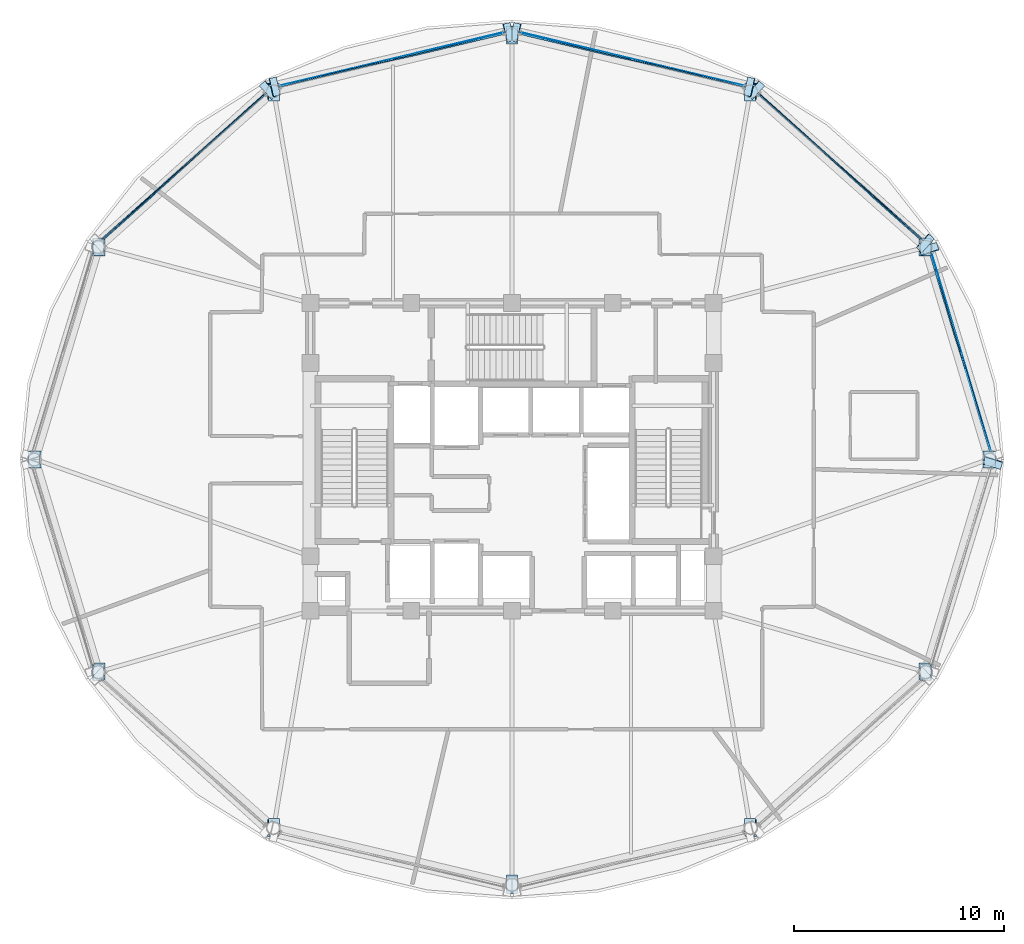
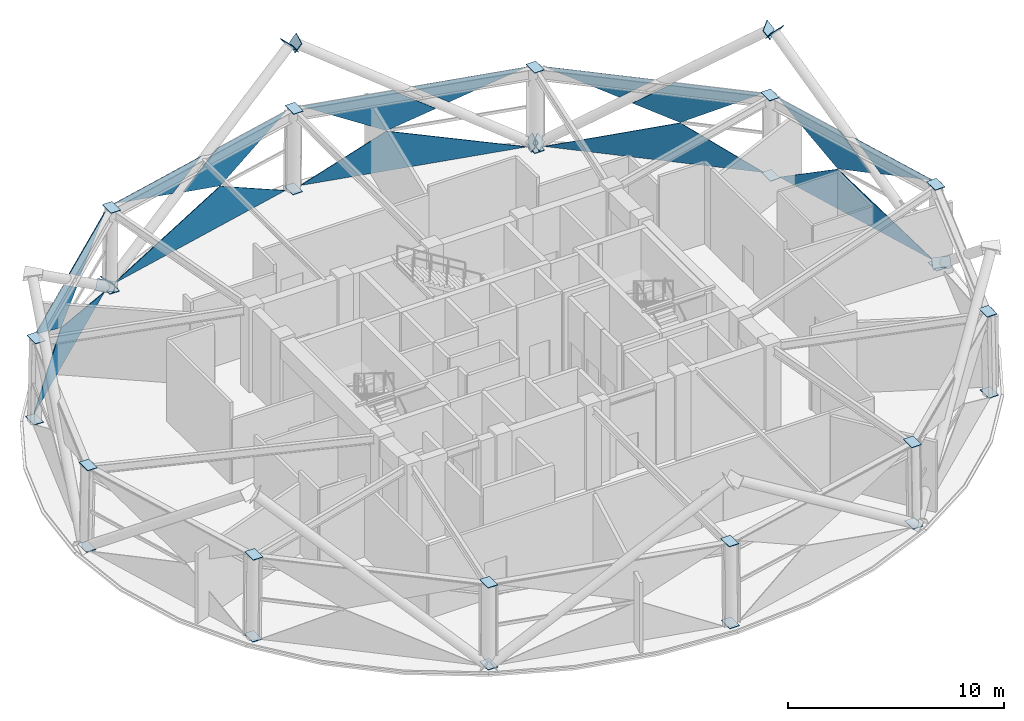
# One storey, part 9 of 16: 48 plates, 5 elements without a shape of their own.
"""IFC4 building model written with IfcOpenShell, lengths in metres."""

from ifc_helpers import new_model, si_unit, direction, frame, origin, place, context, subcontext, project, spatial, polyline, outline, extrude, material, layer, layer_set, type_object, element, aggregate, save


model = new_model("IFC4")

# Units and contexts
model_context = context("Model", 3, precision=1e-05, world=origin(), true_north=direction((0.0, 1.0)))
body_context = subcontext(model_context, "Body", "Model", "MODEL_VIEW")
ifc_project = project(units=[si_unit("LENGTHUNIT", "METRE"), si_unit("AREAUNIT", "SQUARE_METRE"), si_unit("VOLUMEUNIT", "CUBIC_METRE"), si_unit("PLANEANGLEUNIT", "RADIAN"), si_unit("MASSUNIT", "GRAM", prefix="KILO")], contexts=[model_context])

# Site, building, storey
site_placement = place(None, origin())
site = spatial("IfcSite", under=ifc_project, at=site_placement, CompositionType="ELEMENT")
building_placement = place(site_placement, origin())
building = spatial("IfcBuilding", under=site, at=building_placement, Name="Vantalir Tower", CompositionType="ELEMENT")
storey_placement = place(building_placement, frame((0.0, 0.0, 181.35009765625)))
storey = spatial("IfcBuildingStorey", under=building, at=storey_placement, Name="L45", CompositionType="ELEMENT", Elevation=181.35009765625)

# Curtain wall, plates
ifc_material_1 = material(Name="Champagne-silver PVDF aluminium and double-silver Low-E glass", Category="aluminium")
ifc_layer_1 = layer(ifc_material_1, 0.22998046875)
ifc_layer_set_1 = layer_set([ifc_layer_1], Name="Champagne-silver PVDF aluminium and double-silver Low-E glass")
curtain_wall_type = type_object("IfcCurtainWallType", Name="CW-SKYLOBBY", PredefinedType="USERDEFINED", material=ifc_layer_set_1)
curtain_wall_1_placement = place(storey_placement, origin())
curtain_wall_1 = element("IfcCurtainWall", 1, at=curtain_wall_1_placement, inside=storey, type_object=curtain_wall_type, Name="L45 Quilted Pyramid-Diamond Curtain Wall S01", ObjectType="UNITISED CURTAIN WALL", PredefinedType="USERDEFINED")
ifc_material_2 = material(Name="High-clarity sky-lobby Low-E glass IGU", Category="glass")
ifc_layer_2 = layer(ifc_material_2, 0.035888671875)
ifc_layer_set_2 = layer_set([ifc_layer_2], Name="High-clarity sky-lobby Low-E glass IGU")
plate_type_1 = type_object("IfcPlateType", Name="CWP-IGU-LIGHT-36", PredefinedType="CURTAIN_PANEL", material=ifc_layer_set_2)
plate_1_placement = place(storey_placement, frame((54.317626953125, 25.40673828125, 0.047119140625), z_axis=(0.957650582327, 0.287888962961, 0.005030623629), x_axis=(-0.287892725492, 0.957662663985, 2.4850473e-05)))
plate_1 = element("IfcPlate", 2, at=plate_1_placement, type_object=plate_type_1, Name="CW-L45-S01 Pyramid Diamond Facet 1L", PredefinedType="CURTAIN_PANEL", context=body_context, shape_type="SweptSolid", body=[
    extrude(outline(polyline([(0.0, 0.0), (9.824385579021772, 1.0299920638612292e-18), (6.08770880545764, 2.2493889000218026), (0.0, 0.0)])), origin(), (0.0, 0.0, -1.0), 0.035888671875),
])
plate_2_placement = place(storey_placement, frame((52.562744140625, 30.998779296875, 4.572509765625), z_axis=(0.957337172572, 0.287778890921, 0.026245913065), x_axis=(-0.287878081494, 0.957667066467, 8.50548e-07)))
plate_2 = element("IfcPlate", 3, at=plate_2_placement, type_object=plate_type_1, Name="CW-L45-S01 Pyramid Diamond Facet 2U", PredefinedType="CURTAIN_PANEL", context=body_context, shape_type="SweptSolid", body=[
    extrude(outline(polyline([(0.0, 0.0), (3.950730105154388, 3.469446951953614e-18), (0.22698148404296628, -2.2500428734027684), (-1.8979966408671116, -1.4616801904319743), (0.0, 0.0)])), origin(), (0.0, 0.0, -1.0), 0.035888671875),
])
plate_3_placement = place(storey_placement, frame((54.281982421875, 25.41845703125, 4.57373046875), z_axis=(0.957333203155, 0.287793042952, 0.026235521055), x_axis=(-0.287892138455, 0.957662840783, 0.0)))
plate_3 = element("IfcPlate", 4, at=plate_3_placement, type_object=plate_type_1, Name="CW-L45-S01 Pyramid Diamond Facet 2U Infill Light", PredefinedType="CURTAIN_PANEL", context=body_context, shape_type="SweptSolid", body=[
    extrude(outline(polyline([(0.0, 0.0), (4.938067663130494, 6.938893903907228e-18), (3.332941643282677, -1.2362653793027343), (0.0, 0.0)])), origin(), (0.0, 0.0, -1.0), 0.035888671875),
])
aggregate(curtain_wall_1, [plate_1, plate_2, plate_3])

curtain_wall_2_placement = place(storey_placement, origin())
curtain_wall_2 = element("IfcCurtainWall", 5, at=curtain_wall_2_placement, inside=storey, type_object=curtain_wall_type, Name="L45 Quilted Pyramid-Diamond Curtain Wall S02", ObjectType="UNITISED CURTAIN WALL", PredefinedType="USERDEFINED")
plate_4_placement = place(storey_placement, frame((51.0498046875, 35.504638671875, 0.047119140625), z_axis=(0.66529977249, 0.746563470884, 0.004381400138), x_axis=(-0.746570568102, 0.665306234972, -2.3480015e-05)))
plate_4 = element("IfcPlate", 6, at=plate_4_placement, type_object=plate_type_1, Name="CW-L45-S02 Pyramid Diamond Facet 1L", PredefinedType="CURTAIN_PANEL", context=body_context, shape_type="SweptSolid", body=[
    extrude(outline(polyline([(0.0, 0.0), (10.39780516962434, -4.391018798566293e-18), (3.9565602975785525, 2.2498703552015504), (0.0, 0.0)])), origin(), (0.0, 0.0, -1.0), 0.035888671875),
])
plate_5_placement = place(storey_placement, frame((50.98583984375, 35.4716796875, 4.572509765625), z_axis=(0.665089926382, 0.746335563904, 0.025270850345), x_axis=(-0.746574972522, 0.665301290375, 5.8557415e-05)))
plate_5 = element("IfcPlate", 7, at=plate_5_placement, type_object=plate_type_1, Name="CW-L45-S02 Pyramid Diamond Facet 2U", PredefinedType="CURTAIN_PANEL", context=body_context, shape_type="SweptSolid", body=[
    extrude(outline(polyline([(0.0, 0.0), (4.1896639254692545, 1.2739375526704677e-17), (6.186570093083291, -1.4610339444227927), (3.9308566706425703, -2.2504594124690516), (0.0, 0.0)])), origin(), (0.0, 0.0, -1.0), 0.035888671875),
])
plate_6_placement = place(storey_placement, frame((47.18994140625, 38.907958984375, 4.57373046875), z_axis=(0.665111490281, 0.746316276484, 0.025272929238), x_axis=(-0.74655551728, 0.665323122587, 4.6578208e-05)))
plate_6 = element("IfcPlate", 8, at=plate_6_placement, type_object=plate_type_1, Name="CW-L45-S02 Pyramid Diamond Facet 2U Infill Light", PredefinedType="CURTAIN_PANEL", context=body_context, shape_type="SweptSolid", body=[
    extrude(outline(polyline([(0.0, 0.0), (5.241520351703728, -8.998878031629687e-18), (1.6960296798621823, -1.240709671291705), (0.0, 0.0)])), origin(), (0.0, 0.0, -1.0), 0.035888671875),
])
aggregate(curtain_wall_2, [plate_4, plate_5, plate_6])

curtain_wall_3_placement = place(storey_placement, origin())
curtain_wall_3 = element("IfcCurtainWall", 9, at=curtain_wall_3_placement, inside=storey, type_object=curtain_wall_type, Name="L45 Quilted Pyramid-Diamond Curtain Wall S03", ObjectType="UNITISED CURTAIN WALL", PredefinedType="USERDEFINED")
plate_7_placement = place(storey_placement, frame((42.556640625, 42.8037109375, 0.046875), z_axis=(0.232257506184, 0.972647683537, 0.003596460953), x_axis=(-0.972653992364, 0.232258930164, 2.2311136e-05)))
plate_7 = element("IfcPlate", 10, at=plate_7_placement, type_object=plate_type_1, Name="CW-L45-S03 Pyramid Diamond Facet 1L", PredefinedType="CURTAIN_PANEL", context=body_context, shape_type="SweptSolid", body=[
    extrude(outline(polyline([(0.0, 0.0), (10.94254547910628, -6.505213034913027e-19), (6.780262281957122, 2.249863275713853), (0.0, 0.0)])), origin(), (0.0, 0.0, -1.0), 0.035888671875),
])
plate_8_placement = place(storey_placement, frame((36.217529296875, 44.25146484375, 4.57275390625), z_axis=(0.232166412142, 0.972359671957, 0.024807769445), x_axis=(-0.972659013302, 0.232237903541, -7.39582e-07)))
plate_8 = element("IfcPlate", 11, at=plate_8_placement, type_object=plate_type_1, Name="CW-L45-S03 Pyramid Diamond Facet 2U", PredefinedType="CURTAIN_PANEL", context=body_context, shape_type="SweptSolid", body=[
    extrude(outline(polyline([(0.0, 0.0), (4.425219721295982, 3.469446951953614e-18), (0.2781401204367248, -2.2504482517808433), (-2.0949771519210647, -1.4601710014275817), (0.0, 0.0)])), origin(), (0.0, 0.0, -1.0), 0.035888671875),
])
plate_9_placement = place(storey_placement, frame((42.529052734375, 42.78564453125, 4.573974609375), z_axis=(0.232185028392, 0.972359673645, 0.024632857319), x_axis=(-0.972654556851, 0.232256563048, -4.4247773e-05)))
plate_9 = element("IfcPlate", 12, at=plate_9_placement, type_object=plate_type_1, Name="CW-L45-S03 Pyramid Diamond Facet 2U Infill Light", PredefinedType="CURTAIN_PANEL", context=body_context, shape_type="SweptSolid", body=[
    extrude(outline(polyline([(0.0, 0.0), (5.5175798858369705, 9.486769009248164e-19), (3.7337806331329984, -1.2433761359092874), (0.0, 0.0)])), origin(), (0.0, 0.0, -1.0), 0.035888671875),
])
aggregate(curtain_wall_3, [plate_7, plate_8, plate_9])

curtain_wall_4_placement = place(storey_placement, origin())
curtain_wall_4 = element("IfcCurtainWall", 13, at=curtain_wall_4_placement, inside=storey, type_object=curtain_wall_type, Name="L45 Quilted Pyramid-Diamond Curtain Wall S04", ObjectType="UNITISED CURTAIN WALL", PredefinedType="USERDEFINED")
plate_10_placement = place(storey_placement, frame((31.086669921875, 45.34521484375, 0.047119140625), z_axis=(-0.232257506184, 0.972647683537, 0.003596460953), x_axis=(-0.972653992364, -0.232258930164, -2.2311136e-05)))
plate_10 = element("IfcPlate", 14, at=plate_10_placement, type_object=plate_type_1, Name="CW-L45-S04 Pyramid Diamond Facet 1L", PredefinedType="CURTAIN_PANEL", context=body_context, shape_type="SweptSolid", body=[
    extrude(outline(polyline([(0.0, 0.0), (10.94254547910628, 6.505213034913027e-19), (4.162283197149159, 2.2498632757138535), (0.0, 0.0)])), origin(), (0.0, 0.0, -1.0), 0.035888671875),
])
plate_11_placement = place(storey_placement, frame((31.086669921875, 45.279296875, 4.57275390625), z_axis=(-0.232166412142, 0.972359671957, 0.024807769445), x_axis=(-0.972659013302, -0.232237903541, 7.39582e-07)))
plate_11 = element("IfcPlate", 15, at=plate_11_placement, type_object=plate_type_1, Name="CW-L45-S04 Pyramid Diamond Facet 2U", PredefinedType="CURTAIN_PANEL", context=body_context, shape_type="SweptSolid", body=[
    extrude(outline(polyline([(0.0, 0.0), (4.425219721295982, -3.469446951953614e-18), (6.5201968732170466, -1.4601710014275817), (4.147079600859256, -2.2504482517808433), (0.0, 0.0)])), origin(), (0.0, 0.0, -1.0), 0.035888671875),
])
plate_12_placement = place(storey_placement, frame((25.837646484375, 44.067138671875, 4.57373046875), z_axis=(-0.232185028392, 0.972359673645, 0.024632857319), x_axis=(-0.972654556851, -0.232256563048, 4.4247773e-05)))
plate_12 = element("IfcPlate", 16, at=plate_12_placement, type_object=plate_type_1, Name="CW-L45-S04 Pyramid Diamond Facet 2U Infill Light", PredefinedType="CURTAIN_PANEL", context=body_context, shape_type="SweptSolid", body=[
    extrude(outline(polyline([(0.0, 0.0), (5.5175798858369705, -9.486769009248164e-19), (1.783799252703972, -1.2433761359092874), (0.0, 0.0)])), origin(), (0.0, 0.0, -1.0), 0.035888671875),
])
aggregate(curtain_wall_4, [plate_10, plate_11, plate_12])

curtain_wall_5_placement = place(storey_placement, origin())
curtain_wall_5 = element("IfcCurtainWall", 17, at=curtain_wall_5_placement, inside=storey, type_object=curtain_wall_type, Name="L45 Quilted Pyramid-Diamond Curtain Wall S05", ObjectType="UNITISED CURTAIN WALL", PredefinedType="USERDEFINED")
plate_13_placement = place(storey_placement, frame((19.712890625, 42.42236328125, 0.046875), z_axis=(-0.66529977249, 0.746563470884, 0.004381400138), x_axis=(-0.746570568102, -0.665306234972, 2.3480015e-05)))
plate_13 = element("IfcPlate", 18, at=plate_13_placement, type_object=plate_type_1, Name="CW-L45-S05 Pyramid Diamond Facet 1L", PredefinedType="CURTAIN_PANEL", context=body_context, shape_type="SweptSolid", body=[
    extrude(outline(polyline([(0.0, 0.0), (10.39780516962434, 4.391018798566293e-18), (6.441244872045787, 2.2498703552015504), (0.0, 0.0)])), origin(), (0.0, 0.0, -1.0), 0.035888671875),
])
plate_14_placement = place(storey_placement, frame((15.14208984375, 38.259033203125, 4.57275390625), z_axis=(-0.665089926382, 0.746335563904, 0.025270850345), x_axis=(-0.746574972522, -0.665301290375, -5.8557415e-05)))
plate_14 = element("IfcPlate", 19, at=plate_14_placement, type_object=plate_type_1, Name="CW-L45-S05 Pyramid Diamond Facet 2U", PredefinedType="CURTAIN_PANEL", context=body_context, shape_type="SweptSolid", body=[
    extrude(outline(polyline([(0.0, 0.0), (4.1896639254692545, -1.2739375526704677e-17), (0.25880725482668315, -2.250459412469052), (-1.9969061676140374, -1.4610339444227929), (0.0, 0.0)])), origin(), (0.0, 0.0, -1.0), 0.035888671875),
])
plate_15_placement = place(storey_placement, frame((19.72314453125, 42.395263671875, 4.573974609375), z_axis=(-0.665111490281, 0.746316276484, 0.025272929238), x_axis=(-0.74655551728, -0.665323122587, -4.6578208e-05)))
plate_15 = element("IfcPlate", 20, at=plate_15_placement, type_object=plate_type_1, Name="CW-L45-S05 Pyramid Diamond Facet 2U Infill Light", PredefinedType="CURTAIN_PANEL", context=body_context, shape_type="SweptSolid", body=[
    extrude(outline(polyline([(0.0, 0.0), (5.241520351703728, 8.998878031629687e-18), (3.5454906718415455, -1.240709671291705), (0.0, 0.0)])), origin(), (0.0, 0.0, -1.0), 0.035888671875),
])
aggregate(curtain_wall_5, [plate_13, plate_14, plate_15])

# Plates
ifc_material_3 = material(Name="Steel S460", Category="steel")
ifc_layer_3 = layer(ifc_material_3, 0.035888671875)
ifc_layer_set_3 = layer_set([ifc_layer_3], Name="Steel S460")
plate_type_2 = type_object("IfcPlateType", Name="PLT-KN-Z2", PredefinedType="USERDEFINED", material=ifc_layer_set_3)
plate_16_placement = place(storey_placement, frame((51.71630859375, 35.34228515625, 7.94287109375), z_axis=(-0.233137047326, 0.757338168825, 0.609988536945), x_axis=(-0.955725494629, -0.294259706399, 6.4078795e-05)))
element("IfcPlate", 21, at=plate_16_placement, inside=storey, type_object=plate_type_2, Name="Node Cap Plate MEM-DG-L45-R01L End", ObjectType="FLANGE_PLATE", PredefinedType="USERDEFINED", context=body_context, shape_type="SweptSolid", body=[
    extrude(outline(polyline([(0.0, 0.0), (0.8800497747769306, 0.0), (0.8801794849873562, 0.5800788224000918), (0.00020155095905806804, 0.580221148244098), (0.0, 0.0)])), origin(), (0.0, 0.0, -1.0), 0.035888671875),
])
plate_17_placement = place(storey_placement, frame((53.914306640625, 24.78759765625, -0.0107421875), z_axis=(-0.233090955748, -0.757188441821, 0.61019199431), x_axis=(0.955754530823, -0.29416538325, 6.4092727e-05)))
element("IfcPlate", 22, at=plate_17_placement, inside=storey, type_object=plate_type_2, Name="Node Cap Plate MEM-DG-L45-R01R Start", ObjectType="FLANGE_PLATE", PredefinedType="USERDEFINED", context=body_context, shape_type="SweptSolid", body=[
    extrude(outline(polyline([(0.0, 0.0), (0.8799779455399647, 2.7755575615628914e-17), (0.8799420560968898, 0.5798853716464692), (-0.00010770716359497314, 0.5800277565836444), (0.0, 0.0)])), origin(), (0.0, 0.0, -1.0), 0.035888671875),
])
plate_18_placement = place(storey_placement, frame((42.72607421875, 43.213623046875, -0.027587890625), z_axis=(-0.798787549976, 0.186129672662, 0.572096316154), x_axis=(-0.226945842217, -0.973907379827, -1.4772812e-05)))
element("IfcPlate", 23, at=plate_18_placement, inside=storey, type_object=plate_type_2, Name="Node Cap Plate MEM-DG-L45-R07L Start", ObjectType="FLANGE_PLATE", PredefinedType="USERDEFINED", context=body_context, shape_type="SweptSolid", body=[
    extrude(outline(polyline([(0.0, 0.0), (0.8798966313787882, 1.3877787807814457e-17), (0.8800021716769185, 0.5801645236146671), (-0.00013223005827271567, 0.5801328227649022), (0.0, 0.0)])), origin(), (0.0, 0.0, -1.0), 0.035888671875),
])
plate_19_placement = place(storey_placement, frame((31.591796875, 45.808349609375, 7.942138671875), z_axis=(-0.798974841024, 0.186173314331, 0.571820514184), x_axis=(-0.226945832543, -0.973907382082, -1.4769152e-05)))
element("IfcPlate", 24, at=plate_19_placement, inside=storey, type_object=plate_type_2, Name="Node Cap Plate MEM-DG-L45-R07L End", ObjectType="FLANGE_PLATE", PredefinedType="USERDEFINED", context=body_context, shape_type="SweptSolid", body=[
    extrude(outline(polyline([(0.0, 0.0), (0.8798966313786505, -1.3877787807814457e-17), (0.8800575834125799, 0.580028521884285), (-7.68183230240713e-05, 0.5799968363171859), (0.0, 0.0)])), origin(), (0.0, 0.0, -1.0), 0.035888671875),
])
plate_20_placement = place(storey_placement, frame((42.939208984375, 42.140380859375, -0.01953125), z_axis=(0.599239158898, -0.54046827184, 0.590598406346), x_axis=(0.669777838343, 0.742561543108, -4.4284844e-05)))
element("IfcPlate", 25, at=plate_20_placement, inside=storey, type_object=plate_type_2, Name="Node Cap Plate MEM-DG-L45-R07R Start", ObjectType="FLANGE_PLATE", PredefinedType="USERDEFINED", context=body_context, shape_type="SweptSolid", body=[
    extrude(outline(polyline([(0.0, 0.0), (0.8798677712690197, 5.551115123125783e-17), (0.8798712988379882, 0.5800204226768841), (-0.00017776187026711282, 0.5799238415584409), (0.0, 0.0)])), origin(), (0.0, 0.0, -1.0), 0.035888671875),
])
plate_21_placement = place(storey_placement, frame((51.0205078125, 34.851318359375, 7.9423828125), z_axis=(0.59934813753, -0.540566562301, 0.590397833466), x_axis=(0.66972972392, 0.742604938671, 4.4268734e-05)))
element("IfcPlate", 26, at=plate_21_placement, inside=storey, type_object=plate_type_2, Name="Node Cap Plate MEM-DG-L45-R07R End", ObjectType="FLANGE_PLATE", PredefinedType="USERDEFINED", context=body_context, shape_type="SweptSolid", body=[
    extrude(outline(polyline([(0.0, 0.0), (0.8800490660070104, 5.551115123125783e-17), (0.8799349479697048, 0.5801209049804927), (6.718199654957845e-05, 0.5802174334096009), (0.0, 0.0)])), origin(), (0.0, 0.0, -1.0), 0.035888671875),
])
plate_22_placement = place(storey_placement, frame((19.471435546875, 42.793701171875, -0.01953125), z_axis=(-0.599239158898, -0.54046827184, 0.590598406346), x_axis=(0.669777838343, -0.742561543108, 4.4284844e-05)))
element("IfcPlate", 27, at=plate_22_placement, inside=storey, type_object=plate_type_2, Name="Node Cap Plate MEM-DG-L45-R13L Start", ObjectType="FLANGE_PLATE", PredefinedType="USERDEFINED", context=body_context, shape_type="SweptSolid", body=[
    extrude(outline(polyline([(0.0, 0.0), (0.8798677712690197, -5.551115123125783e-17), (0.8800455331392868, 0.5799238415584409), (-3.527568968369657e-06, 0.5800204226768841), (0.0, 0.0)])), origin(), (0.0, 0.0, -1.0), 0.035888671875),
])
plate_23_placement = place(storey_placement, frame((20.4736328125, 42.356689453125, -0.027587890625), z_axis=(0.798787549976, 0.186129672662, 0.572096316154), x_axis=(-0.226945842217, 0.973907379827, 1.4772812e-05)))
element("IfcPlate", 28, at=plate_23_placement, inside=storey, type_object=plate_type_2, Name="Node Cap Plate MEM-DG-L45-R13R Start", ObjectType="FLANGE_PLATE", PredefinedType="USERDEFINED", context=body_context, shape_type="SweptSolid", body=[
    extrude(outline(polyline([(0.0, 0.0), (0.8798966313787882, -1.3877787807814457e-17), (0.8800288614370609, 0.5801328227649022), (-0.00010554029813045345, 0.5801645236146671), (0.0, 0.0)])), origin(), (0.0, 0.0, -1.0), 0.035888671875),
])
plate_24_placement = place(storey_placement, frame((31.60791015625, 44.951416015625, 7.942138671875), z_axis=(0.798974841024, 0.186173314331, 0.571820514184), x_axis=(-0.226945832543, 0.973907382082, 1.4769152e-05)))
element("IfcPlate", 29, at=plate_24_placement, inside=storey, type_object=plate_type_2, Name="Node Cap Plate MEM-DG-L45-R13R End", ObjectType="FLANGE_PLATE", PredefinedType="USERDEFINED", context=body_context, shape_type="SweptSolid", body=[
    extrude(outline(polyline([(0.0, 0.0), (0.8798966313786505, 1.3877787807814457e-17), (0.8799734497016747, 0.5799968363171859), (-0.00016095203392946315, 0.580028521884285), (0.0, 0.0)])), origin(), (0.0, 0.0, -1.0), 0.035888671875),
])
ifc_layer_4 = layer(ifc_material_3, 0.031982421875)
ifc_layer_set_4 = layer_set([ifc_layer_4], Name="Steel S460")
plate_type_3 = type_object("IfcPlateType", Name="PLT-KN-Z3", PredefinedType="USERDEFINED", material=ifc_layer_set_4)
plate_25_placement = place(storey_placement, frame((53.91552734375, 25.39990234375, 4.6396484375), z_axis=(-0.015960408092, 0.0, 0.999872624575), x_axis=(0.0, -1.0, 0.0)))
element("IfcPlate", 30, at=plate_25_placement, inside=storey, type_object=plate_type_3, Name="L45 Ring Column Top Cap RC01", ObjectType="FLANGE_PLATE", PredefinedType="USERDEFINED", context=body_context, shape_type="SweptSolid", body=[
    extrude(outline(polyline([(0.0, 0.0), (0.7998046875, 0.0), (0.7998046875, 0.520085777397181), (0.0, 0.520085777397181), (0.0, 0.0)])), origin(), (0.0, 0.0, -1.0), 0.031982421875),
])
plate_26_placement = place(storey_placement, frame((53.9892578125, 25.39990234375, 0.048828125), z_axis=(-0.01596790285, 0.0, 0.999872504912), x_axis=(0.0, -1.0, 0.0)))
element("IfcPlate", 31, at=plate_26_placement, inside=storey, type_object=plate_type_3, Name="L45 Ring Column Base Cap RC01", ObjectType="FLANGE_PLATE", PredefinedType="USERDEFINED", context=body_context, shape_type="SweptSolid", body=[
    extrude(outline(polyline([(0.0, 0.0), (0.7998046875, 0.0), (0.7998046875, 0.5198416678843009), (0.0, 0.5198416678843009), (0.0, 0.0)])), origin(), (0.0, 0.0, -1.0), 0.031982421875),
])
plate_27_placement = place(storey_placement, frame((50.877685546875, 35.493896484375, 4.64306640625), z_axis=(-0.013848081143, -0.007170321156, 0.999878401178), x_axis=(2.112612e-06, -0.999974288194, -0.007170979521)))
element("IfcPlate", 32, at=plate_27_placement, inside=storey, type_object=plate_type_3, Name="L45 Ring Column Top Cap RC02", ObjectType="FLANGE_PLATE", PredefinedType="USERDEFINED", context=body_context, shape_type="SweptSolid", body=[
    extrude(outline(polyline([(0.0, 0.0), (0.8000685241551091, 1.3552527156068805e-20), (0.8000188516591568, 0.5200677100367138), (-5.1423223374464635e-05, 0.520071090832669), (0.0, 0.0)])), origin(), (0.0, 0.0, -1.0), 0.031982421875),
])
plate_28_placement = place(storey_placement, frame((50.94140625, 35.526611328125, 0.05224609375), z_axis=(-0.013854584395, -0.00717032051, 0.999878311093), x_axis=(-2.113599e-06, -0.999974287774, -0.007171038064)))
element("IfcPlate", 33, at=plate_28_placement, inside=storey, type_object=plate_type_3, Name="L45 Ring Column Base Cap RC02", ObjectType="FLANGE_PLATE", PredefinedType="USERDEFINED", context=body_context, shape_type="SweptSolid", body=[
    extrude(outline(polyline([(0.0, 0.0), (0.800070274889676, 0.0), (0.8000166540415455, 0.5198269742009729), (-5.1870106415585656e-05, 0.5198235918247504), (0.0, 0.0)])), origin(), (0.0, 0.0, -1.0), 0.031982421875),
])
for number, where, z_axis, x_axis, name in (
    (34, (42.577880859375, 42.8828125, 4.646728515625), (-0.00798323711, -0.012206850294, 0.999893624708), (1.4868e-08, -0.99992548888, -0.012207239178), "L45 Ring Column Top Cap RC03"),
    (35, (42.614501953125, 42.939453125, 0.0556640625), (-0.00798323711, -0.012206850294, 0.999893624708), (1.4868e-08, -0.99992548888, -0.012207239178), "L45 Ring Column Base Cap RC03"),
):
    element("IfcPlate", number, at=place(storey_placement, frame(where, z_axis=z_axis, x_axis=x_axis)), inside=storey, type_object=plate_type_3, Name=name, ObjectType="FLANGE_PLATE", PredefinedType="USERDEFINED", context=body_context, shape_type="SweptSolid", body=[
        extrude(outline(polyline([(0.0, 0.0), (0.8001084269107569, -1.3552527156068805e-20), (0.8000577698312117, 0.5200360911085401), (0.00019346535426325998, 0.5200361148972166), (0.0, 0.0)])), origin(), (0.0, 0.0, -1.0), 0.031982421875),
    ])
for number, where, z_axis, x_axis, name in (
    (36, (31.239990234375, 45.587646484375, 4.649658203125), (0.0, -0.014340911413, 0.999897163842), (0.0, -0.999897163842, -0.014340911413), "L45 Ring Column Top Cap RC04"),
    (37, (31.239990234375, 45.6533203125, 0.05859375), (0.0, -0.014340911413, 0.999897163842), (0.0, -0.999897163842, -0.014340911413), "L45 Ring Column Base Cap RC04"),
):
    element("IfcPlate", number, at=place(storey_placement, frame(where, z_axis=z_axis, x_axis=x_axis)), inside=storey, type_object=plate_type_3, Name=name, ObjectType="FLANGE_PLATE", PredefinedType="USERDEFINED", context=body_context, shape_type="SweptSolid", body=[
        extrude(outline(polyline([(0.0, 0.0), (0.8001311105340766, 0.0), (0.8001311105340766, 0.52001953125), (0.0, 0.52001953125), (0.0, 0.0)])), origin(), (0.0, 0.0, -1.0), 0.031982421875),
    ])
for number, where, z_axis, x_axis, name in (
    (38, (19.902099609375, 42.882568359375, 4.65087890625), (0.00798323711, -0.012206850294, 0.999893624708), (1.4872e-08, -0.999925488877, -0.012207239415), "L45 Ring Column Top Cap RC05"),
    (39, (19.865478515625, 42.939208984375, 0.059814453125), (0.00798323711, -0.012206850294, 0.999893624708), (1.4872e-08, -0.999925488877, -0.012207239415), "L45 Ring Column Base Cap RC05"),
):
    element("IfcPlate", number, at=place(storey_placement, frame(where, z_axis=z_axis, x_axis=x_axis)), inside=storey, type_object=plate_type_3, Name=name, ObjectType="FLANGE_PLATE", PredefinedType="USERDEFINED", context=body_context, shape_type="SweptSolid", body=[
        extrude(outline(polyline([(0.0, 0.0), (0.7998643044769487, 2.710505431213761e-20), (0.7999149770228302, 0.5200360911070332), (-0.00019344988792627582, 0.5200361149029701), (0.0, 0.0)])), origin(), (0.0, 0.0, -1.0), 0.031982421875),
    ])
plate_29_placement = place(storey_placement, frame((11.602294921875, 35.493896484375, 4.650390625), z_axis=(0.013848081143, -0.007170321156, 0.999878401178), x_axis=(2.112607e-06, -0.999974287774, -0.007171038036)))
element("IfcPlate", 40, at=plate_29_placement, inside=storey, type_object=plate_type_3, Name="L45 Ring Column Top Cap RC06", ObjectType="FLANGE_PLATE", PredefinedType="USERDEFINED", context=body_context, shape_type="SweptSolid", body=[
    extrude(outline(polyline([(0.0, 0.0), (0.8000702748896743, -1.3552527156068805e-20), (0.8001221449960932, 0.5200677098221734), (5.362084812700998e-05, 0.5200710906107305), (0.0, 0.0)])), origin(), (0.0, 0.0, -1.0), 0.031982421875),
])
plate_30_placement = place(storey_placement, frame((11.538818359375, 35.526611328125, 0.059326171875), z_axis=(0.013854584395, -0.00717032051, 0.999878311093), x_axis=(-2.113604e-06, -0.999974288194, -0.007170979493)))
element("IfcPlate", 41, at=plate_30_placement, inside=storey, type_object=plate_type_3, Name="L45 Ring Column Base Cap RC06", ObjectType="FLANGE_PLATE", PredefinedType="USERDEFINED", context=body_context, shape_type="SweptSolid", body=[
    extrude(outline(polyline([(0.0, 0.0), (0.8000685241551109, -1.3552527156068805e-20), (0.800119947378482, 0.5198269744230155), (4.967249595570682e-05, 0.5198235920393915), (0.0, 0.0)])), origin(), (0.0, 0.0, -1.0), 0.031982421875),
])
plate_31_placement = place(storey_placement, frame((8.564453125, 25.39990234375, 4.64794921875), z_axis=(0.015960408092, 0.0, 0.999872624575), x_axis=(0.0, -1.0, 0.0)))
element("IfcPlate", 42, at=plate_31_placement, inside=storey, type_object=plate_type_3, Name="L45 Ring Column Top Cap RC07", ObjectType="FLANGE_PLATE", PredefinedType="USERDEFINED", context=body_context, shape_type="SweptSolid", body=[
    extrude(outline(polyline([(0.0, 0.0), (0.7998046875, 0.0), (0.7998046875, 0.520085777397181), (0.0, 0.520085777397181), (0.0, 0.0)])), origin(), (0.0, 0.0, -1.0), 0.031982421875),
])
plate_32_placement = place(storey_placement, frame((8.490966796875, 25.39990234375, 0.05712890625), z_axis=(0.01596790285, 0.0, 0.999872504912), x_axis=(0.0, -1.0, 0.0)))
element("IfcPlate", 43, at=plate_32_placement, inside=storey, type_object=plate_type_3, Name="L45 Ring Column Base Cap RC07", ObjectType="FLANGE_PLATE", PredefinedType="USERDEFINED", context=body_context, shape_type="SweptSolid", body=[
    extrude(outline(polyline([(0.0, 0.0), (0.7998046875, 0.0), (0.7998046875, 0.5198416678843009), (0.0, 0.5198416678843009), (0.0, 0.0)])), origin(), (0.0, 0.0, -1.0), 0.031982421875),
])
plate_33_placement = place(storey_placement, frame((11.602294921875, 15.30615234375, 4.64453125), z_axis=(0.013848081143, 0.007170321156, 0.999878401178), x_axis=(-2.112607e-06, -0.999974287774, 0.007171038036)))
element("IfcPlate", 44, at=plate_33_placement, inside=storey, type_object=plate_type_3, Name="L45 Ring Column Top Cap RC08", ObjectType="FLANGE_PLATE", PredefinedType="USERDEFINED", context=body_context, shape_type="SweptSolid", body=[
    extrude(outline(polyline([(0.0, 0.0), (0.8000702748896743, 1.3552527156068805e-20), (0.8000166540415473, 0.5200710906107305), (-5.187010641894099e-05, 0.5200677098221734), (0.0, 0.0)])), origin(), (0.0, 0.0, -1.0), 0.031982421875),
])
plate_34_placement = place(storey_placement, frame((11.538818359375, 15.2734375, 0.0537109375), z_axis=(0.013854584395, 0.00717032051, 0.999878311093), x_axis=(2.113604e-06, -0.999974288194, 0.007170979493)))
element("IfcPlate", 45, at=plate_34_placement, inside=storey, type_object=plate_type_3, Name="L45 Ring Column Base Cap RC08", ObjectType="FLANGE_PLATE", PredefinedType="USERDEFINED", context=body_context, shape_type="SweptSolid", body=[
    extrude(outline(polyline([(0.0, 0.0), (0.8000685241551109, 1.3552527156068805e-20), (0.8000188516591551, 0.5198235920393915), (-5.1423223371109294e-05, 0.5198269744230155), (0.0, 0.0)])), origin(), (0.0, 0.0, -1.0), 0.031982421875),
])
for number, where, z_axis, x_axis, name in (
    (46, (19.902099609375, 7.917236328125, 4.64111328125), (0.00798323711, 0.012206850294, 0.999893624708), (-1.4872e-08, -0.999925488877, 0.012207239415), "L45 Ring Column Top Cap RC09"),
    (47, (19.865478515625, 7.860595703125, 0.050048828125), (0.00798323711, 0.012206850294, 0.999893624708), (-1.4872e-08, -0.999925488877, 0.012207239415), "L45 Ring Column Base Cap RC09"),
):
    element("IfcPlate", number, at=place(storey_placement, frame(where, z_axis=z_axis, x_axis=x_axis)), inside=storey, type_object=plate_type_3, Name=name, ObjectType="FLANGE_PLATE", PredefinedType="USERDEFINED", context=body_context, shape_type="SweptSolid", body=[
        extrude(outline(polyline([(0.0, 0.0), (0.7998643044769487, -2.710505431213761e-20), (0.8000577543648749, 0.5200361149029701), (-5.0672545881579474e-05, 0.5200360911070332), (0.0, 0.0)])), origin(), (0.0, 0.0, -1.0), 0.031982421875),
    ])
for number, where, z_axis, x_axis, name in (
    (48, (31.239990234375, 5.21240234375, 4.63818359375), (0.0, 0.014340911413, 0.999897163842), (0.0, -0.999897163842, 0.014340911413), "L45 Ring Column Top Cap RC10"),
    (49, (31.239990234375, 5.146728515625, 0.047119140625), (0.0, 0.014340911413, 0.999897163842), (0.0, -0.999897163842, 0.014340911413), "L45 Ring Column Base Cap RC10"),
):
    element("IfcPlate", number, at=place(storey_placement, frame(where, z_axis=z_axis, x_axis=x_axis)), inside=storey, type_object=plate_type_3, Name=name, ObjectType="FLANGE_PLATE", PredefinedType="USERDEFINED", context=body_context, shape_type="SweptSolid", body=[
        extrude(outline(polyline([(0.0, 0.0), (0.8001311105340766, 0.0), (0.8001311105340766, 0.52001953125), (0.0, 0.52001953125), (0.0, 0.0)])), origin(), (0.0, 0.0, -1.0), 0.031982421875),
    ])
for number, where, z_axis, x_axis, name in (
    (50, (42.577880859375, 7.917236328125, 4.636962890625), (-0.00798323711, 0.012206850294, 0.999893624708), (-1.4868e-08, -0.99992548888, 0.012207239178), "L45 Ring Column Top Cap RC11"),
    (51, (42.614501953125, 7.860595703125, 0.0458984375), (-0.00798323711, 0.012206850294, 0.999893624708), (-1.4868e-08, -0.99992548888, 0.012207239178), "L45 Ring Column Base Cap RC11"),
):
    element("IfcPlate", number, at=place(storey_placement, frame(where, z_axis=z_axis, x_axis=x_axis)), inside=storey, type_object=plate_type_3, Name=name, ObjectType="FLANGE_PLATE", PredefinedType="USERDEFINED", context=body_context, shape_type="SweptSolid", body=[
        extrude(outline(polyline([(0.0, 0.0), (0.8001084269107569, 1.3552527156068805e-20), (0.7999149615564936, 0.5200361148972165), (5.065707954530293e-05, 0.5200360911085401), (0.0, 0.0)])), origin(), (0.0, 0.0, -1.0), 0.031982421875),
    ])
plate_35_placement = place(storey_placement, frame((50.877685546875, 15.30615234375, 4.637451171875), z_axis=(-0.013848081143, 0.007170321156, 0.999878401178), x_axis=(-2.112612e-06, -0.999974288194, 0.007170979521)))
element("IfcPlate", 52, at=plate_35_placement, inside=storey, type_object=plate_type_3, Name="L45 Ring Column Top Cap RC12", ObjectType="FLANGE_PLATE", PredefinedType="USERDEFINED", context=body_context, shape_type="SweptSolid", body=[
    extrude(outline(polyline([(0.0, 0.0), (0.8000685241551091, -1.3552527156068805e-20), (0.8001199473784837, 0.520071090832669), (4.967249595235169e-05, 0.5200677100367139), (0.0, 0.0)])), origin(), (0.0, 0.0, -1.0), 0.031982421875),
])
plate_36_placement = place(storey_placement, frame((50.94140625, 15.2734375, 0.04638671875), z_axis=(-0.013854584395, 0.00717032051, 0.999878311093), x_axis=(2.113599e-06, -0.999974287774, 0.007171038064)))
element("IfcPlate", 53, at=plate_36_placement, inside=storey, type_object=plate_type_3, Name="L45 Ring Column Base Cap RC12", ObjectType="FLANGE_PLATE", PredefinedType="USERDEFINED", context=body_context, shape_type="SweptSolid", body=[
    extrude(outline(polyline([(0.0, 0.0), (0.800070274889676, 0.0), (0.8001221449960915, 0.5198235918247504), (5.3620848130365104e-05, 0.5198269742009729), (0.0, 0.0)])), origin(), (0.0, 0.0, -1.0), 0.031982421875),
])

save(model, "model.ifc")
